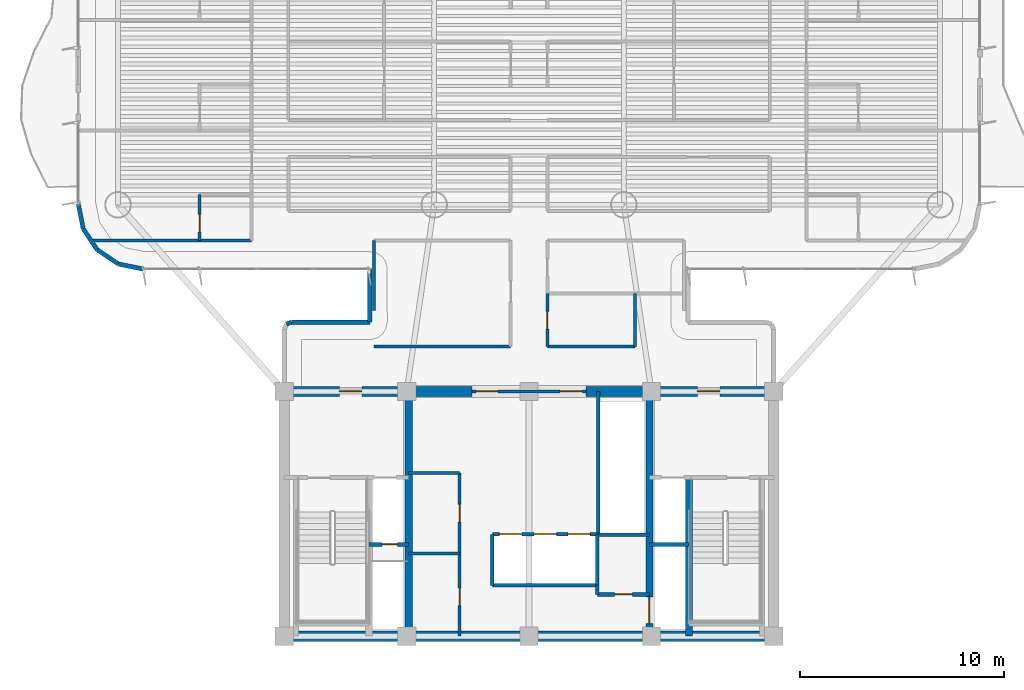
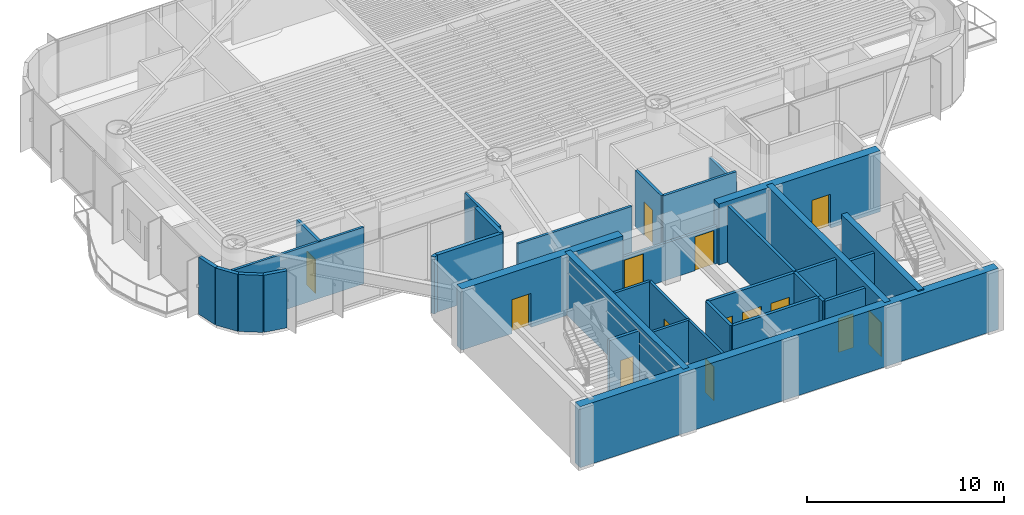
# One storey, part 9 of 17: 34 walls, 14 doors, 14 openings.
"""IFC4 building model written with IfcOpenShell, lengths in metres."""

from ifc_helpers import new_model, si_unit, direction, frame, frame_2d, origin, origin_2d, place, context, subcontext, project, spatial, rectangle, extrude, source, transform, mapped, material, layer, layer_set, type_object, element, fill, save


model = new_model("IFC4")

# Units and contexts
model_context = context("Model", 3, precision=1e-05, world=origin(), true_north=direction((0.0, 1.0)))
body_context = subcontext(model_context, "Body", "Model", "MODEL_VIEW")
ifc_project = project(units=[si_unit("LENGTHUNIT", "METRE"), si_unit("AREAUNIT", "SQUARE_METRE"), si_unit("VOLUMEUNIT", "CUBIC_METRE"), si_unit("PLANEANGLEUNIT", "RADIAN"), si_unit("MASSUNIT", "GRAM", prefix="KILO")], contexts=[model_context])

# Site, building, storey
site_placement = place(None, origin())
site = spatial("IfcSite", under=ifc_project, at=site_placement, CompositionType="ELEMENT")
building_placement = place(site_placement, origin())
building = spatial("IfcBuilding", under=site, at=building_placement, Name="Brelvock Crest Care Tower", CompositionType="ELEMENT")
storey_placement = place(building_placement, frame((0.0, 0.0, 131.39990234375)))
storey = spatial("IfcBuildingStorey", under=building, at=storey_placement, Name="L33", CompositionType="ELEMENT", Elevation=131.39990234375)

# Wall
ifc_material_1 = material(Name="Concrete S80 (80 MPa)", Category="concrete")
ifc_layer_1 = layer(ifc_material_1, 0.5, Name="WL-CS2")
ifc_layer_set_1 = layer_set([ifc_layer_1], Name="Concrete S80 (80 MPa)")
wall_type_1 = type_object("IfcWallType", Name="WL-CS2", PredefinedType="SHEAR", material=ifc_layer_set_1)
wall_1_placement = place(storey_placement, frame((48.25, 6.0, 0.0), z_axis=(0.0, 0.0, 1.0), x_axis=(-1.0, 0.0, 0.0)))
element("IfcWall", 1, at=wall_1_placement, inside=storey, type_object=wall_type_1, Name="L33 Core South Shear Wall", PredefinedType="SHEAR", context=body_context, shape_type="SweptSolid", body=[
    extrude(rectangle(XDim=24.5, YDim=0.5, at=frame_2d((12.25, 0.0))), origin(), (0.0, 0.0, 1.0), 3.780029296875),
])

# Wall, opening, door
wall_2_placement = place(storey_placement, frame((23.75, 18.0, 0.0), z_axis=(0.0, 0.0, 1.0), x_axis=(1.0, 0.0, 0.0)))
wall_2 = element("IfcWall", 2, at=wall_2_placement, inside=storey, type_object=wall_type_1, Name="L33 Core North-West Shear Wall", PredefinedType="SHEAR", context=body_context, shape_type="SweptSolid", body=[
    extrude(rectangle(XDim=9.449951171875, YDim=0.5, at=frame_2d((4.72509765625, 0.0))), origin(), (0.0, 0.0, 1.0), 3.780029296875),
])
opening_1_placement = place(wall_2_placement, frame((2.949951171875, 0.0, 0.0)))
opening_1 = element("IfcOpeningElement", 3, at=opening_1_placement, cuts=wall_2, Name="Opening FD-1", PredefinedType="OPENING", context=body_context, shape_type="SweptSolid", body=[
    extrude(rectangle(XDim=1.10009765625, YDim=2.10009765625, at=origin_2d()), frame((0.550048828125, 0.260009765625, 1.050048828125), z_axis=(0.0, -1.0, 0.0), x_axis=(1.0, 0.0, 0.0)), (0.0, 0.0, 1.0), 0.52001953125),
])
ifc_material_2 = material(Name="Steel Grade 350", Category="steel")
door_type_1 = type_object("IfcDoorType", Name="DR-FFL1", OperationType="NOTDEFINED", PredefinedType="DOOR", material=ifc_material_2)
shared_shape_1 = source(origin(), body_context, "Body", "SweptSolid", [
    extrude(rectangle(XDim=1.10009765625, YDim=2.10009765625, at=origin_2d()), frame((0.550048828125, 0.02490234375, 1.050048828125), z_axis=(0.0, -1.0, 0.0), x_axis=(1.0, 0.0, 0.0)), (0.0, 0.0, 1.0), 0.050048828125),
])
door_1_placement = place(opening_1_placement, origin())
door_1 = element("IfcDoor", 4, at=door_1_placement, inside=storey, type_object=door_type_1, Name="L33 Firefighting Lobby FFL-1 Exit Door", OperationType="SINGLE_SWING_LEFT", OverallHeight=2.10009765625, OverallWidth=1.10009765625, PredefinedType="DOOR", context=body_context, shape_type="MappedRepresentation", body=[
    mapped(shared_shape_1, transform((0.0, 0.0, 0.0), x_axis=(1.0, 0.0, 0.0), y_axis=(0.0, 1.0, 0.0), z_axis=(0.0, 0.0, 1.0), scale=1.0)),
])
fill(opening_1, door_1)

wall_3_placement = place(storey_placement, frame((38.800048828125, 18.0, 0.0), z_axis=(0.0, 0.0, 1.0), x_axis=(1.0, 0.0, 0.0)))
wall_3 = element("IfcWall", 5, at=wall_3_placement, inside=storey, type_object=wall_type_1, Name="L33 Core North-East Shear Wall", PredefinedType="SHEAR", context=body_context, shape_type="SweptSolid", body=[
    extrude(rectangle(XDim=9.449951171875, YDim=0.5, at=frame_2d((4.72509765625, 0.0))), origin(), (0.0, 0.0, 1.0), 3.780029296875),
])
opening_2_placement = place(wall_3_placement, frame((5.449951171875, 0.0, 0.0)))
opening_2 = element("IfcOpeningElement", 6, at=opening_2_placement, cuts=wall_3, Name="Opening FD-1", PredefinedType="OPENING", context=body_context, shape_type="SweptSolid", body=[
    extrude(rectangle(XDim=1.10009765625, YDim=2.10009765625, at=origin_2d()), frame((0.550048828125, 0.260009765625, 1.050048828125), z_axis=(0.0, -1.0, 0.0), x_axis=(1.0, 0.0, 0.0)), (0.0, 0.0, 1.0), 0.52001953125),
])
door_2_placement = place(opening_2_placement, origin())
door_2 = element("IfcDoor", 7, at=door_2_placement, inside=storey, type_object=door_type_1, Name="L33 Firefighting Lobby FFL-2 Exit Door", OperationType="SINGLE_SWING_RIGHT", OverallHeight=2.10009765625, OverallWidth=1.10009765625, PredefinedType="DOOR", context=body_context, shape_type="MappedRepresentation", body=[
    mapped(shared_shape_1, transform((0.0, 0.0, 0.0), x_axis=(1.0, 0.0, 0.0), y_axis=(0.0, 1.0, 0.0), z_axis=(0.0, 0.0, 1.0), scale=1.0)),
])
fill(opening_2, door_2)

# Wall
ifc_layer_2 = layer(ifc_material_1, 0.35009765625, Name="WL-CS5")
ifc_layer_set_2 = layer_set([ifc_layer_2], Name="Concrete S80 (80 MPa)")
wall_type_2 = type_object("IfcWallType", Name="WL-CS5", PredefinedType="SHEAR", material=ifc_layer_set_2)
wall_4_placement = place(storey_placement, frame((30.10009765625, 6.0, 0.0), z_axis=(0.0, 0.0, 1.0), x_axis=(0.0, 1.0, 0.0)))
element("IfcWall", 8, at=wall_4_placement, inside=storey, type_object=wall_type_2, Name="L33 Core Internal Web Wall West", PredefinedType="SHEAR", context=body_context, shape_type="SweptSolid", body=[
    extrude(rectangle(XDim=12.0, YDim=0.35009765625, at=frame_2d((6.0, 0.0))), origin(), (0.0, 0.0, 1.0), 3.780029296875),
])

# Wall, opening, door
wall_5_placement = place(storey_placement, frame((41.89990234375, 18.0, 0.0), z_axis=(0.0, 0.0, 1.0), x_axis=(0.0, -1.0, 0.0)))
wall_5 = element("IfcWall", 9, at=wall_5_placement, inside=storey, type_object=wall_type_2, Name="L33 Core Internal Web Wall East", PredefinedType="SHEAR", context=body_context, shape_type="SweptSolid", body=[
    extrude(rectangle(XDim=12.0, YDim=0.35009765625, at=frame_2d((6.0, 0.0))), origin(), (0.0, 0.0, 1.0), 3.780029296875),
])
opening_3_placement = place(wall_5_placement, frame((10.080078125, 0.0, 0.0)))
opening_3 = element("IfcOpeningElement", 10, at=opening_3_placement, cuts=wall_5, Name="Opening LD-S", PredefinedType="OPENING", context=body_context, shape_type="SweptSolid", body=[
    extrude(rectangle(XDim=1.300048828125, YDim=2.10009765625, at=origin_2d()), frame((0.64990234375, 0.18505859375, 1.050048828125), z_axis=(0.0, -1.0, 0.0), x_axis=(1.0, 0.0, 0.0)), (0.0, 0.0, 1.0), 0.3701171875),
])
door_type_2 = type_object("IfcDoorType", Name="DR-LDS1", OperationType="NOTDEFINED", PredefinedType="DOOR", material=ifc_material_2)
shared_shape_2 = source(origin(), body_context, "Body", "SweptSolid", [
    extrude(rectangle(XDim=1.300048828125, YDim=2.10009765625, at=origin_2d()), frame((0.64990234375, 0.02490234375, 1.050048828125), z_axis=(0.0, -1.0, 0.0), x_axis=(1.0, 0.0, 0.0)), (0.0, 0.0, 1.0), 0.050048828125),
])
door_3_placement = place(opening_3_placement, origin())
door_3 = element("IfcDoor", 11, at=door_3_placement, inside=storey, type_object=door_type_2, Name="L33 Clinical Bed Lift SL-1 Landing Door", OperationType="SLIDING_TO_LEFT", OverallHeight=2.10009765625, OverallWidth=1.300048828125, PredefinedType="DOOR", context=body_context, shape_type="MappedRepresentation", body=[
    mapped(shared_shape_2, transform((0.0, 0.0, 0.0), x_axis=(1.0, 0.0, 0.0), y_axis=(0.0, 1.0, 0.0), z_axis=(0.0, 0.0, 1.0), scale=1.0)),
])
fill(opening_3, door_3)

# Walls
wall_6_placement = place(storey_placement, frame((43.85009765625, 6.0, 0.0), z_axis=(0.0, 0.0, 1.0), x_axis=(0.0, 1.0, 0.0)))
element("IfcWall", 12, at=wall_6_placement, inside=storey, type_object=wall_type_2, Name="L33 Core Stair ST-2 West Shear Wall", PredefinedType="SHEAR", context=body_context, shape_type="SweptSolid", body=[
    extrude(rectangle(XDim=7.780029296875, YDim=0.35009765625, at=frame_2d((3.89013671875, 0.0))), origin(), (0.0, 0.0, 1.0), 3.85009765625),
])
ifc_material_3 = material(Name="Precast concrete N40 (40 MPa)", Category="concrete")
ifc_layer_3 = layer(ifc_material_3, 0.215087890625, Name="WL-EX2")
ifc_layer_set_3 = layer_set([ifc_layer_3], Name="Precast concrete N40 (40 MPa)")
wall_type_3 = type_object("IfcWallType", Name="WL-EX2", PredefinedType="SOLIDWALL", material=ifc_layer_set_3)
wall_7_placement = place(storey_placement, frame((24.1025390625, 21.297607421875, 0.0), z_axis=(0.0, 0.0, 1.0), x_axis=(0.924205486139, 0.381895560841, 0.0)))
element("IfcWall", 13, at=wall_7_placement, inside=storey, type_object=wall_type_3, Name="L33 Rounded Corner Wall 09", PredefinedType="SOLIDWALL", context=body_context, shape_type="SweptSolid", body=[
    extrude(rectangle(XDim=0.267822265625, YDim=0.215087890625, at=frame_2d((0.1337890625, 0.0))), origin(), (0.0, 0.0, 1.0), 3.530029296875),
])
wall_8_placement = place(storey_placement, frame((24.35009765625, 21.39990234375, 0.0), z_axis=(0.0, 0.0, 1.0), x_axis=(1.0, 0.0, 0.0)))
element("IfcWall", 14, at=wall_8_placement, inside=storey, type_object=wall_type_3, Name="L33 Rounded Corner Wall 10", PredefinedType="SOLIDWALL", context=body_context, shape_type="SweptSolid", body=[
    extrude(rectangle(XDim=3.849853515625, YDim=0.215087890625, at=frame_2d((1.9248046875, 0.0))), origin(), (0.0, 0.0, 1.0), 3.530029296875),
])
wall_9_placement = place(storey_placement, frame((28.199951171875, 21.39990234375, 0.0), z_axis=(0.0, 0.0, 1.0), x_axis=(0.0, 1.0, 0.0)))
element("IfcWall", 15, at=wall_9_placement, inside=storey, type_object=wall_type_3, Name="L33 Rounded Corner Wall 11", PredefinedType="SOLIDWALL", context=body_context, shape_type="SweptSolid", body=[
    extrude(rectangle(XDim=2.60009765625, YDim=0.215087890625, at=frame_2d((1.300048828125, 0.0))), origin(), (0.0, 0.0, 1.0), 3.530029296875),
])
for number, where, z_axis, x_axis, name in (
    (16, (17.10009765625, 24.0, 0.0), (0.0, 0.0, 1.0), (-0.980775717779, 0.195138390419, 0.0), "L33 Rounded Corner Wall 13"),
    (17, (15.87548828125, 24.24365234375, 0.0), (0.0, 0.0, 1.0), (-0.831478245117, 0.555557312883, 0.0), "L33 Rounded Corner Wall 14"),
    (18, (14.83740234375, 24.937255859375, 0.0), (0.0, 0.0, 1.0), (-0.555692485475, 0.831387912822, 0.0), "L33 Rounded Corner Wall 15"),
    (19, (14.1435546875, 25.975341796875, 0.0), (0.0, 0.0, 1.0), (-0.195138390419, 0.980775717779, 0.0), "L33 Rounded Corner Wall 16"),
):
    element("IfcWall", number, at=place(storey_placement, frame(where, z_axis=z_axis, x_axis=x_axis)), inside=storey, type_object=wall_type_3, Name=name, PredefinedType="SOLIDWALL", context=body_context, shape_type="SweptSolid", body=[
        extrude(rectangle(XDim=1.24853515625, YDim=0.215087890625, at=frame_2d((0.624267578125, 0.0))), origin(), (0.0, 0.0, 1.0), 3.530029296875),
    ])
ifc_material_4 = material(Name="Masonry Blockwork Acoustic Partition", Category="masonry")
ifc_layer_4 = layer(ifc_material_4, 0.14990234375, Name="WL-INT1")
ifc_layer_set_4 = layer_set([ifc_layer_4], Name="Masonry Blockwork Acoustic Partition")
wall_type_4 = type_object("IfcWallType", Name="WL-INT1", PredefinedType="PARTITIONING", material=ifc_layer_set_4)
for number, where, z_axis, x_axis, name in (
    (20, (30.10009765625, 14.0, 0.0), (0.0, 0.0, 1.0), (1.0, 0.0, 0.0), "L33 Interior Wall WL-CRCL-N1-L33"),
    (21, (30.10009765625, 10.050048828125, 0.0), (0.0, 0.0, 1.0), (1.0, 0.0, 0.0), "L33 Interior Wall WL-CSBW-S1-L33"),
):
    element("IfcWall", number, at=place(storey_placement, frame(where, z_axis=z_axis, x_axis=x_axis)), inside=storey, type_object=wall_type_4, Name=name, PredefinedType="PARTITIONING", context=body_context, shape_type="SweptSolid", body=[
        extrude(rectangle(XDim=2.5, YDim=0.14990234375, at=frame_2d((1.25, 0.0))), origin(), (0.0, 0.0, 1.0), 3.5),
    ])

# Wall, openings, doors
wall_10_placement = place(storey_placement, frame((32.60009765625, 6.0, 0.0), z_axis=(0.0, 0.0, 1.0), x_axis=(0.0, 1.0, 0.0)))
wall_10 = element("IfcWall", 22, at=wall_10_placement, inside=storey, type_object=wall_type_4, Name="L33 Interior Wall WL-CRCL-E-L33", PredefinedType="PARTITIONING", context=body_context, shape_type="SweptSolid", body=[
    extrude(rectangle(XDim=8.0, YDim=0.14990234375, at=frame_2d((4.0, 0.0))), origin(), (0.0, 0.0, 1.0), 3.5),
])
opening_4_placement = place(wall_10_placement, frame((1.5, 0.0, 0.0)))
opening_4 = element("IfcOpeningElement", 23, at=opening_4_placement, cuts=wall_10, Name="Opening ID-1", PredefinedType="OPENING", context=body_context, shape_type="SweptSolid", body=[
    extrude(rectangle(XDim=0.860107421875, YDim=2.10009765625, at=origin_2d()), frame((0.43017578125, 0.0849609375, 1.050048828125), z_axis=(0.0, -1.0, 0.0), x_axis=(1.0, 0.0, 0.0)), (0.0, 0.0, 1.0), 0.169921875),
])
opening_5_placement = place(wall_10_placement, frame((5.60009765625, 0.0, 0.0)))
opening_5 = element("IfcOpeningElement", 24, at=opening_5_placement, cuts=wall_10, Name="Opening ID-1", PredefinedType="OPENING", context=body_context, shape_type="SweptSolid", body=[
    extrude(rectangle(XDim=0.860107421875, YDim=2.10009765625, at=origin_2d()), frame((0.43017578125, 0.0849609375, 1.050048828125), z_axis=(0.0, -1.0, 0.0), x_axis=(1.0, 0.0, 0.0)), (0.0, 0.0, 1.0), 0.169921875),
])
ifc_material_5 = material(Name="Engineered Hardwood Timber", Category="wood")
door_type_3 = type_object("IfcDoorType", Name="DR-INT1", OperationType="NOTDEFINED", PredefinedType="DOOR", material=ifc_material_5)
shared_shape_3 = source(origin(), body_context, "Body", "SweptSolid", [
    extrude(rectangle(XDim=0.860107421875, YDim=2.10009765625, at=origin_2d()), frame((0.43017578125, 0.02490234375, 1.050048828125), z_axis=(0.0, -1.0, 0.0), x_axis=(1.0, 0.0, 0.0)), (0.0, 0.0, 1.0), 0.050048828125),
])
door_4_placement = place(opening_4_placement, origin())
door_4 = element("IfcDoor", 25, at=door_4_placement, inside=storey, type_object=door_type_3, Name="DR-CSBW-L33", OperationType="SINGLE_SWING_LEFT", OverallHeight=2.10009765625, OverallWidth=0.860107421875, PredefinedType="DOOR", context=body_context, shape_type="MappedRepresentation", body=[
    mapped(shared_shape_3, transform((0.0, 0.0, 0.0), x_axis=(1.0, 0.0, 0.0), y_axis=(0.0, 1.0, 0.0), z_axis=(0.0, 0.0, 1.0), scale=1.0)),
])
fill(opening_4, door_4)
door_5_placement = place(opening_5_placement, origin())
door_5 = element("IfcDoor", 26, at=door_5_placement, inside=storey, type_object=door_type_3, Name="DR-CRCL1-L33", OperationType="SINGLE_SWING_LEFT", OverallHeight=2.10009765625, OverallWidth=0.860107421875, PredefinedType="DOOR", context=body_context, shape_type="MappedRepresentation", body=[
    mapped(shared_shape_3, transform((0.0, 0.0, 0.0), x_axis=(1.0, 0.0, 0.0), y_axis=(0.0, 1.0, 0.0), z_axis=(0.0, 0.0, 1.0), scale=1.0)),
])
fill(opening_5, door_5)

wall_11_placement = place(storey_placement, frame((33.199951171875, 18.0, 0.0), z_axis=(0.0, 0.0, 1.0), x_axis=(1.0, 0.0, 0.0)))
wall_11 = element("IfcWall", 27, at=wall_11_placement, inside=storey, type_object=wall_type_4, Name="L33 Interior Wall WL-CORE-NPORT-L33", PredefinedType="PARTITIONING", context=body_context, shape_type="SweptSolid", body=[
    extrude(rectangle(XDim=5.60009765625, YDim=0.14990234375, at=frame_2d((2.800048828125, 0.0))), origin(), (0.0, 0.0, 1.0), 2.315185546875),
])
opening_6_placement = place(wall_11_placement, frame((0.18994140625, 0.0, 0.0)))
opening_6 = element("IfcOpeningElement", 28, at=opening_6_placement, cuts=wall_11, Name="Opening FD-1", PredefinedType="OPENING", context=body_context, shape_type="SweptSolid", body=[
    extrude(rectangle(XDim=1.10009765625, YDim=2.10009765625, at=origin_2d()), frame((0.550048828125, 0.0849609375, 1.050048828125), z_axis=(0.0, -1.0, 0.0), x_axis=(1.0, 0.0, 0.0)), (0.0, 0.0, 1.0), 0.169921875),
])
opening_7_placement = place(wall_11_placement, frame((4.31005859375, 0.0, 0.0)))
opening_7 = element("IfcOpeningElement", 29, at=opening_7_placement, cuts=wall_11, Name="Opening FD-1", PredefinedType="OPENING", context=body_context, shape_type="SweptSolid", body=[
    extrude(rectangle(XDim=1.10009765625, YDim=2.10009765625, at=origin_2d()), frame((0.550048828125, 0.0849609375, 1.050048828125), z_axis=(0.0, -1.0, 0.0), x_axis=(1.0, 0.0, 0.0)), (0.0, 0.0, 1.0), 0.169921875),
])
door_6_placement = place(opening_6_placement, origin())
door_6 = element("IfcDoor", 30, at=door_6_placement, inside=storey, type_object=door_type_1, Name="L33 Lift Lobby North Smoke Door West", OperationType="SINGLE_SWING_LEFT", OverallHeight=2.10009765625, OverallWidth=1.10009765625, PredefinedType="DOOR", context=body_context, shape_type="MappedRepresentation", body=[
    mapped(shared_shape_1, transform((0.0, 0.0, 0.0), x_axis=(1.0, 0.0, 0.0), y_axis=(0.0, 1.0, 0.0), z_axis=(0.0, 0.0, 1.0), scale=1.0)),
])
fill(opening_6, door_6)
door_7_placement = place(opening_7_placement, origin())
door_7 = element("IfcDoor", 31, at=door_7_placement, inside=storey, type_object=door_type_1, Name="L33 Lift Lobby North Smoke Door East", OperationType="SINGLE_SWING_RIGHT", OverallHeight=2.10009765625, OverallWidth=1.10009765625, PredefinedType="DOOR", context=body_context, shape_type="MappedRepresentation", body=[
    mapped(shared_shape_1, transform((0.0, 0.0, 0.0), x_axis=(1.0, 0.0, 0.0), y_axis=(0.0, 1.0, 0.0), z_axis=(0.0, 0.0, 1.0), scale=1.0)),
])
fill(opening_7, door_7)

# Walls
wall_12_placement = place(storey_placement, frame((28.39990234375, 20.199951171875, 0.0), z_axis=(0.0, 0.0, 1.0), x_axis=(1.0, 0.0, 0.0)))
element("IfcWall", 32, at=wall_12_placement, inside=storey, type_object=wall_type_4, Name="L33 Interior Wall WL-BX-L33-THW-S", PredefinedType="PARTITIONING", context=body_context, shape_type="SweptSolid", body=[
    extrude(rectangle(XDim=6.7001953125, YDim=0.14990234375, at=frame_2d((3.35009765625, 0.0))), origin(), (0.0, 0.0, 1.0), 3.5),
])
wall_13_placement = place(storey_placement, frame((14.624267578125, 25.39990234375, 0.0), z_axis=(0.0, 0.0, 1.0), x_axis=(1.0, 0.0, 0.0)))
element("IfcWall", 33, at=wall_13_placement, inside=storey, type_object=wall_type_4, Name="L33 Interior Wall WL-BX-L33-CS-SNW1-S2", PredefinedType="PARTITIONING", context=body_context, shape_type="SweptSolid", body=[
    extrude(rectangle(XDim=7.775634765625, YDim=0.14990234375, at=frame_2d((3.8876953125, 0.0))), origin(), (0.0, 0.0, 1.0), 3.5),
])
wall_14_placement = place(storey_placement, frame((28.39990234375, 21.957275390625, 0.0), z_axis=(0.0, 0.0, 1.0), x_axis=(0.0, 1.0, 0.0)))
element("IfcWall", 34, at=wall_14_placement, inside=storey, type_object=wall_type_4, Name="L33 Interior Wall WL-BX-L33-THW-W2", PredefinedType="PARTITIONING", context=body_context, shape_type="SweptSolid", body=[
    extrude(rectangle(XDim=3.442626953125, YDim=0.14990234375, at=frame_2d((1.72119140625, 0.0))), origin(), (0.0, 0.0, 1.0), 3.5),
])
ifc_material_6 = material(Name="Gypsum Plasterboard Partition", Category="gypsum")
ifc_layer_5 = layer(ifc_material_6, 0.159912109375, Name="WL-PLM1")
ifc_layer_set_5 = layer_set([ifc_layer_5], Name="Gypsum Plasterboard Partition")
wall_type_5 = type_object("IfcWallType", Name="WL-PLM1", PredefinedType="PLUMBINGWALL", material=ifc_layer_set_5)
wall_15_placement = place(storey_placement, frame((36.89990234375, 20.199951171875, 0.0), z_axis=(0.0, 0.0, 1.0), x_axis=(1.0, 0.0, 0.0)))
element("IfcWall", 35, at=wall_15_placement, inside=storey, type_object=wall_type_5, Name="L33 Interior Wall WL-BX-L33-THE1-S", PredefinedType="PLUMBINGWALL", context=body_context, shape_type="SweptSolid", body=[
    extrude(rectangle(XDim=4.300048828125, YDim=0.159912109375, at=frame_2d((2.14990234375, 0.0))), origin(), (0.0, 0.0, 1.0), 3.5),
])

# Wall, opening, door
wall_16_placement = place(storey_placement, frame((19.85009765625, 25.39990234375, 0.0), z_axis=(0.0, 0.0, 1.0), x_axis=(0.0, 1.0, 0.0)))
wall_16 = element("IfcWall", 36, at=wall_16_placement, inside=storey, type_object=wall_type_5, Name="L33 Interior Wall WL-CENS1-L33-SNW1", PredefinedType="PLUMBINGWALL", context=body_context, shape_type="SweptSolid", body=[
    extrude(rectangle(XDim=2.25, YDim=0.159912109375, at=frame_2d((1.125, 0.0))), origin(), (0.0, 0.0, 1.0), 3.5),
])
opening_8_placement = place(wall_16_placement, frame((0.419921875, 0.0, 0.0)))
opening_8 = element("IfcOpeningElement", 37, at=opening_8_placement, cuts=wall_16, Name="Opening WD-1", PredefinedType="OPENING", context=body_context, shape_type="SweptSolid", body=[
    extrude(rectangle(XDim=0.860107421875, YDim=2.10009765625, at=origin_2d()), frame((0.43017578125, 0.08984375, 1.050048828125), z_axis=(0.0, -1.0, 0.0), x_axis=(1.0, 0.0, 0.0)), (0.0, 0.0, 1.0), 0.179931640625),
])
door_type_4 = type_object("IfcDoorType", Name="DR-WC1", OperationType="NOTDEFINED", PredefinedType="DOOR", material=ifc_material_5)
shared_shape_4 = source(origin(), body_context, "Body", "SweptSolid", [
    extrude(rectangle(XDim=0.860107421875, YDim=2.10009765625, at=origin_2d()), frame((0.43017578125, 0.02490234375, 1.050048828125), z_axis=(0.0, -1.0, 0.0), x_axis=(1.0, 0.0, 0.0)), (0.0, 0.0, 1.0), 0.050048828125),
])
door_8_placement = place(opening_8_placement, origin())
door_8 = element("IfcDoor", 38, at=door_8_placement, inside=storey, type_object=door_type_4, Name="L33 Care En-Suite Door SNW1", OperationType="SINGLE_SWING_LEFT", OverallHeight=2.10009765625, OverallWidth=0.860107421875, PredefinedType="DOOR", context=body_context, shape_type="MappedRepresentation", body=[
    mapped(shared_shape_4, transform((0.0, 0.0, 0.0), x_axis=(1.0, 0.0, 0.0), y_axis=(0.0, 1.0, 0.0), z_axis=(0.0, 0.0, 1.0), scale=1.0)),
])
fill(opening_8, door_8)

wall_17_placement = place(storey_placement, frame((36.89990234375, 20.199951171875, 0.0), z_axis=(0.0, 0.0, 1.0), x_axis=(0.0, 1.0, 0.0)))
wall_17 = element("IfcWall", 39, at=wall_17_placement, inside=storey, type_object=wall_type_5, Name="L33 Interior Wall WL-RM-L33-THE1", PredefinedType="PLUMBINGWALL", context=body_context, shape_type="SweptSolid", body=[
    extrude(rectangle(XDim=2.60009765625, YDim=0.159912109375, at=frame_2d((1.300048828125, 0.0))), origin(), (0.0, 0.0, 1.0), 3.5),
])
opening_9_placement = place(wall_17_placement, frame((0.8701171875, 0.0, 0.0)))
opening_9 = element("IfcOpeningElement", 40, at=opening_9_placement, cuts=wall_17, Name="Opening WD-1", PredefinedType="OPENING", context=body_context, shape_type="SweptSolid", body=[
    extrude(rectangle(XDim=0.860107421875, YDim=2.10009765625, at=origin_2d()), frame((0.43017578125, 0.08984375, 1.050048828125), z_axis=(0.0, -1.0, 0.0), x_axis=(1.0, 0.0, 0.0)), (0.0, 0.0, 1.0), 0.179931640625),
])
door_9_placement = place(opening_9_placement, origin())
door_9 = element("IfcDoor", 41, at=door_9_placement, inside=storey, type_object=door_type_4, Name="L33 Floor Accessible WC Door THE1", OperationType="SINGLE_SWING_LEFT", OverallHeight=2.10009765625, OverallWidth=0.860107421875, PredefinedType="DOOR", context=body_context, shape_type="MappedRepresentation", body=[
    mapped(shared_shape_4, transform((0.0, 0.0, 0.0), x_axis=(1.0, 0.0, 0.0), y_axis=(0.0, 1.0, 0.0), z_axis=(0.0, 0.0, 1.0), scale=1.0)),
])
fill(opening_9, door_9)

# Walls
wall_18_placement = place(storey_placement, frame((41.199951171875, 20.199951171875, 0.0), z_axis=(0.0, 0.0, 1.0), x_axis=(0.0, 1.0, 0.0)))
element("IfcWall", 42, at=wall_18_placement, inside=storey, type_object=wall_type_5, Name="L33 Interior Wall WL-BX-L33-THE1-E", PredefinedType="PLUMBINGWALL", context=body_context, shape_type="SweptSolid", body=[
    extrude(rectangle(XDim=2.60009765625, YDim=0.159912109375, at=frame_2d((1.300048828125, 0.0))), origin(), (0.0, 0.0, 1.0), 2.815185546875),
])
ifc_layer_6 = layer(ifc_material_4, 0.179931640625, Name="WL-SHF1")
ifc_layer_set_6 = layer_set([ifc_layer_6], Name="Masonry Blockwork Acoustic Partition")
wall_type_6 = type_object("IfcWallType", Name="WL-SHF1", PredefinedType="PARTITIONING", material=ifc_layer_set_6)
wall_19_placement = place(storey_placement, frame((34.199951171875, 8.5, 0.0), z_axis=(0.0, 0.0, 1.0), x_axis=(1.0, 0.0, 0.0)))
element("IfcWall", 43, at=wall_19_placement, inside=storey, type_object=wall_type_6, Name="L33 Interior Wall WL-PLM-S-L33", PredefinedType="PARTITIONING", context=body_context, shape_type="SweptSolid", body=[
    extrude(rectangle(XDim=5.150146484375, YDim=0.179931640625, at=frame_2d((2.5751953125, 0.0))), origin(), (0.0, 0.0, 1.0), 3.5),
])
for number, where, z_axis, x_axis, name in (
    (44, (34.199951171875, 8.5, 0.0), (0.0, 0.0, 1.0), (0.0, 1.0, 0.0), "L33 Interior Wall WL-PLM-W-L33"),
    (45, (39.35009765625, 8.5, 0.0), (0.0, 0.0, 1.0), (0.0, 1.0, 0.0), "L33 Interior Wall WL-PLM-E-L33"),
):
    element("IfcWall", number, at=place(storey_placement, frame(where, z_axis=z_axis, x_axis=x_axis)), inside=storey, type_object=wall_type_6, Name=name, PredefinedType="PARTITIONING", context=body_context, shape_type="SweptSolid", body=[
        extrude(rectangle(XDim=2.5, YDim=0.179931640625, at=frame_2d((1.25, 0.0))), origin(), (0.0, 0.0, 1.0), 3.5),
    ])
wall_20_placement = place(storey_placement, frame((39.39990234375, 11.0, 0.0), z_axis=(0.0, 0.0, 1.0), x_axis=(0.0, 1.0, 0.0)))
element("IfcWall", 46, at=wall_20_placement, inside=storey, type_object=wall_type_6, Name="L33 Interior Wall WL-PLH-SHF-L33", PredefinedType="PARTITIONING", context=body_context, shape_type="SweptSolid", body=[
    extrude(rectangle(XDim=7.0, YDim=0.179931640625, at=frame_2d((3.5, 0.0))), origin(), (0.0, 0.0, 1.0), 3.5),
])
wall_21_placement = place(storey_placement, frame((39.35009765625, 10.97998046875, 0.0), z_axis=(0.0, 0.0, 1.0), x_axis=(1.0, 0.0, 0.0)))
element("IfcWall", 47, at=wall_21_placement, inside=storey, type_object=wall_type_6, Name="L33 Interior Wall WL-CSBE-N-L33", PredefinedType="PARTITIONING", context=body_context, shape_type="SweptSolid", body=[
    extrude(rectangle(XDim=2.5498046875, YDim=0.179931640625, at=frame_2d((1.27490234375, 0.0))), origin(), (0.0, 0.0, 1.0), 3.5),
])
wall_22_placement = place(storey_placement, frame((39.35009765625, 8.050048828125, 0.0), z_axis=(0.0, 0.0, 1.0), x_axis=(0.0, 1.0, 0.0)))
element("IfcWall", 48, at=wall_22_placement, inside=storey, type_object=wall_type_6, Name="L33 Interior Wall WL-CSBE-W-L33", PredefinedType="PARTITIONING", context=body_context, shape_type="SweptSolid", body=[
    extrude(rectangle(XDim=0.449951171875, YDim=0.179931640625, at=frame_2d((0.22509765625, 0.0))), origin(), (0.0, 0.0, 1.0), 3.5),
])

# Wall, opening, door
wall_23_placement = place(storey_placement, frame((39.35009765625, 8.050048828125, 0.0), z_axis=(0.0, 0.0, 1.0), x_axis=(1.0, 0.0, 0.0)))
wall_23 = element("IfcWall", 49, at=wall_23_placement, inside=storey, type_object=wall_type_6, Name="L33 Interior Wall WL-CSBE-S-L33", PredefinedType="PARTITIONING", context=body_context, shape_type="SweptSolid", body=[
    extrude(rectangle(XDim=2.5498046875, YDim=0.179931640625, at=frame_2d((1.27490234375, 0.0))), origin(), (0.0, 0.0, 1.0), 3.5),
])
opening_10_placement = place(wall_23_placement, frame((0.85009765625, 0.0, 0.0)))
opening_10 = element("IfcOpeningElement", 50, at=opening_10_placement, cuts=wall_23, Name="Opening ID-1", PredefinedType="OPENING", context=body_context, shape_type="SweptSolid", body=[
    extrude(rectangle(XDim=0.860107421875, YDim=2.10009765625, at=origin_2d()), frame((0.43017578125, 0.10009765625, 1.050048828125), z_axis=(0.0, -1.0, 0.0), x_axis=(1.0, 0.0, 0.0)), (0.0, 0.0, 1.0), 0.199951171875),
])
door_10_placement = place(opening_10_placement, origin())
door_10 = element("IfcDoor", 51, at=door_10_placement, inside=storey, type_object=door_type_3, Name="DR-CSBE-L33", OperationType="SINGLE_SWING_LEFT", OverallHeight=2.10009765625, OverallWidth=0.860107421875, PredefinedType="DOOR", context=body_context, shape_type="MappedRepresentation", body=[
    mapped(shared_shape_3, transform((0.0, 0.0, 0.0), x_axis=(1.0, 0.0, 0.0), y_axis=(0.0, 1.0, 0.0), z_axis=(0.0, 0.0, 1.0), scale=1.0)),
])
fill(opening_10, door_10)

wall_24_placement = place(storey_placement, frame((28.14990234375, 10.5, 0.0), z_axis=(0.0, 0.0, 1.0), x_axis=(1.0, 0.0, 0.0)))
wall_24 = element("IfcWall", 52, at=wall_24_placement, inside=storey, type_object=wall_type_6, Name="L33 Interior Wall WL-FFH1-S-L33", PredefinedType="PARTITIONING", context=body_context, shape_type="SweptSolid", body=[
    extrude(rectangle(XDim=1.9501953125, YDim=0.179931640625, at=frame_2d((0.97509765625, 0.0))), origin(), (0.0, 0.0, 1.0), 3.5),
])
opening_11_placement = place(wall_24_placement, frame((0.64990234375, 0.0, 0.0)))
opening_11 = element("IfcOpeningElement", 53, at=opening_11_placement, cuts=wall_24, Name="Opening RD-1", PredefinedType="OPENING", context=body_context, shape_type="SweptSolid", body=[
    extrude(rectangle(XDim=0.760009765625, YDim=2.050048828125, at=origin_2d()), frame((0.3798828125, 0.10009765625, 1.02490234375), z_axis=(0.0, -1.0, 0.0), x_axis=(1.0, 0.0, 0.0)), (0.0, 0.0, 1.0), 0.199951171875),
])
door_type_5 = type_object("IfcDoorType", Name="DR-RIS1", OperationType="NOTDEFINED", PredefinedType="DOOR", material=ifc_material_2)
shared_shape_5 = source(origin(), body_context, "Body", "SweptSolid", [
    extrude(rectangle(XDim=0.760009765625, YDim=2.050048828125, at=origin_2d()), frame((0.3798828125, 0.02490234375, 1.02490234375), z_axis=(0.0, -1.0, 0.0), x_axis=(1.0, 0.0, 0.0)), (0.0, 0.0, 1.0), 0.050048828125),
])
door_11_placement = place(opening_11_placement, origin())
door_11 = element("IfcDoor", 54, at=door_11_placement, inside=storey, type_object=door_type_5, Name="L33 Wet Fire Riser Access Door", OperationType="SINGLE_SWING_LEFT", OverallHeight=2.050048828125, OverallWidth=0.760009765625, PredefinedType="DOOR", context=body_context, shape_type="MappedRepresentation", body=[
    mapped(shared_shape_5, transform((0.0, 0.0, 0.0), x_axis=(1.0, 0.0, 0.0), y_axis=(0.0, 1.0, 0.0), z_axis=(0.0, 0.0, 1.0), scale=1.0)),
])
fill(opening_11, door_11)

# Wall
wall_25_placement = place(storey_placement, frame((41.89990234375, 10.5, 0.0), z_axis=(0.0, 0.0, 1.0), x_axis=(1.0, 0.0, 0.0)))
element("IfcWall", 55, at=wall_25_placement, inside=storey, type_object=wall_type_6, Name="L33 Interior Wall WL-FFH2-S-L33", PredefinedType="PARTITIONING", context=body_context, shape_type="SweptSolid", body=[
    extrude(rectangle(XDim=1.9501953125, YDim=0.179931640625, at=frame_2d((0.97509765625, 0.0))), origin(), (0.0, 0.0, 1.0), 3.5),
])

# Wall, openings, doors
wall_26_placement = place(storey_placement, frame((34.199951171875, 11.0, 0.0), z_axis=(0.0, 0.0, 1.0), x_axis=(1.0, 0.0, 0.0)))
wall_26 = element("IfcWall", 56, at=wall_26_placement, inside=storey, type_object=wall_type_6, Name="L33 Interior Wall WL-PLM-BANK-L33", PredefinedType="PARTITIONING", context=body_context, shape_type="SweptSolid", body=[
    extrude(rectangle(XDim=5.150146484375, YDim=0.179931640625, at=frame_2d((2.5751953125, 0.0))), origin(), (0.0, 0.0, 1.0), 3.5),
])
opening_12_placement = place(wall_26_placement, frame((0.35009765625, 0.0, 0.0)))
opening_12 = element("IfcOpeningElement", 57, at=opening_12_placement, cuts=wall_26, Name="Opening LD", PredefinedType="OPENING", context=body_context, shape_type="SweptSolid", body=[
    extrude(rectangle(XDim=1.10009765625, YDim=2.10009765625, at=origin_2d()), frame((0.550048828125, 0.10009765625, 1.050048828125), z_axis=(0.0, -1.0, 0.0), x_axis=(1.0, 0.0, 0.0)), (0.0, 0.0, 1.0), 0.199951171875),
])
opening_13_placement = place(wall_26_placement, frame((2.050048828125, 0.0, 0.0)))
opening_13 = element("IfcOpeningElement", 58, at=opening_13_placement, cuts=wall_26, Name="Opening LD", PredefinedType="OPENING", context=body_context, shape_type="SweptSolid", body=[
    extrude(rectangle(XDim=1.10009765625, YDim=2.10009765625, at=origin_2d()), frame((0.550048828125, 0.10009765625, 1.050048828125), z_axis=(0.0, -1.0, 0.0), x_axis=(1.0, 0.0, 0.0)), (0.0, 0.0, 1.0), 0.199951171875),
])
opening_14_placement = place(wall_26_placement, frame((3.699951171875, 0.0, 0.0)))
opening_14 = element("IfcOpeningElement", 59, at=opening_14_placement, cuts=wall_26, Name="Opening LD", PredefinedType="OPENING", context=body_context, shape_type="SweptSolid", body=[
    extrude(rectangle(XDim=1.10009765625, YDim=2.10009765625, at=origin_2d()), frame((0.550048828125, 0.10009765625, 1.050048828125), z_axis=(0.0, -1.0, 0.0), x_axis=(1.0, 0.0, 0.0)), (0.0, 0.0, 1.0), 0.199951171875),
])
door_type_6 = type_object("IfcDoorType", Name="DR-LD1", OperationType="NOTDEFINED", PredefinedType="DOOR", material=ifc_material_2)
shared_shape_6 = source(origin(), body_context, "Body", "SweptSolid", [
    extrude(rectangle(XDim=1.10009765625, YDim=2.10009765625, at=origin_2d()), frame((0.550048828125, 0.02490234375, 1.050048828125), z_axis=(0.0, -1.0, 0.0), x_axis=(1.0, 0.0, 0.0)), (0.0, 0.0, 1.0), 0.050048828125),
])
door_12_placement = place(opening_12_placement, origin())
door_12 = element("IfcDoor", 60, at=door_12_placement, inside=storey, type_object=door_type_6, Name="L33 Lift PL-M1 Landing Door", OperationType="SLIDING_TO_LEFT", OverallHeight=2.10009765625, OverallWidth=1.10009765625, PredefinedType="DOOR", context=body_context, shape_type="MappedRepresentation", body=[
    mapped(shared_shape_6, transform((0.0, 0.0, 0.0), x_axis=(1.0, 0.0, 0.0), y_axis=(0.0, 1.0, 0.0), z_axis=(0.0, 0.0, 1.0), scale=1.0)),
])
fill(opening_12, door_12)
door_13_placement = place(opening_13_placement, origin())
door_13 = element("IfcDoor", 61, at=door_13_placement, inside=storey, type_object=door_type_6, Name="L33 Lift PL-M2 Landing Door", OperationType="SLIDING_TO_LEFT", OverallHeight=2.10009765625, OverallWidth=1.10009765625, PredefinedType="DOOR", context=body_context, shape_type="MappedRepresentation", body=[
    mapped(shared_shape_6, transform((0.0, 0.0, 0.0), x_axis=(1.0, 0.0, 0.0), y_axis=(0.0, 1.0, 0.0), z_axis=(0.0, 0.0, 1.0), scale=1.0)),
])
fill(opening_13, door_13)
door_14_placement = place(opening_14_placement, origin())
door_14 = element("IfcDoor", 62, at=door_14_placement, inside=storey, type_object=door_type_6, Name="L33 Lift PL-M3 Landing Door", OperationType="SLIDING_TO_LEFT", OverallHeight=2.10009765625, OverallWidth=1.10009765625, PredefinedType="DOOR", context=body_context, shape_type="MappedRepresentation", body=[
    mapped(shared_shape_6, transform((0.0, 0.0, 0.0), x_axis=(1.0, 0.0, 0.0), y_axis=(0.0, 1.0, 0.0), z_axis=(0.0, 0.0, 1.0), scale=1.0)),
])
fill(opening_14, door_14)

save(model, "model.ifc")
